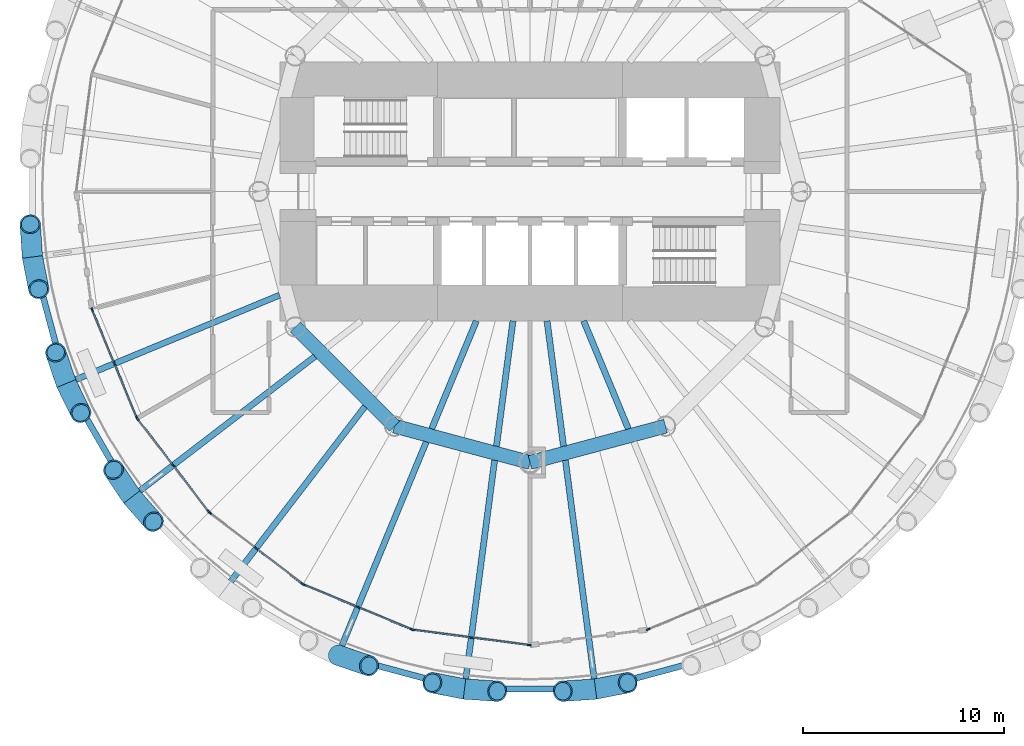
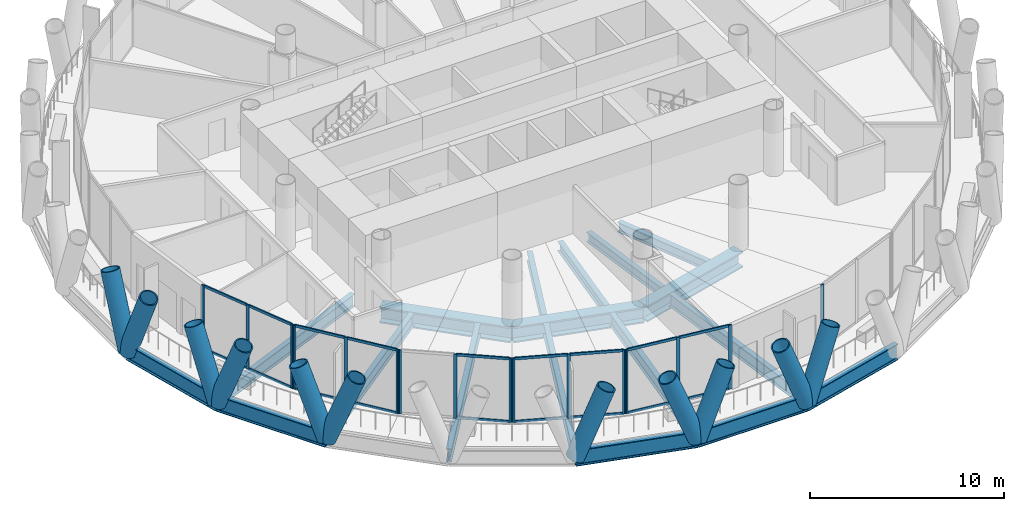
# One storey, part 2 of 16: 45 members, 18 beams, 6 elements without a shape of their own.
"""IFC4 building model written with IfcOpenShell, lengths in metres."""

from ifc_helpers import new_model, si_unit, direction, frame, origin, origin_2d, place, context, subcontext, project, spatial, rectangle, hollow_circle, i_section, extrude, material, material_profile, profile_set, type_object, element, aggregate, save


model = new_model("IFC4")

# Units and contexts
model_context = context("Model", 3, precision=1e-05, world=origin(), true_north=direction((0.0, 1.0)))
body_context = subcontext(model_context, "Body", "Model", "MODEL_VIEW")
ifc_project = project(units=[si_unit("LENGTHUNIT", "METRE"), si_unit("AREAUNIT", "SQUARE_METRE"), si_unit("VOLUMEUNIT", "CUBIC_METRE"), si_unit("PLANEANGLEUNIT", "RADIAN"), si_unit("MASSUNIT", "GRAM", prefix="KILO")], contexts=[model_context])

# Site, building, storey
site_placement = place(None, origin())
site = spatial("IfcSite", under=ifc_project, at=site_placement, CompositionType="ELEMENT")
building_placement = place(site_placement, origin())
building = spatial("IfcBuilding", under=site, at=building_placement, Name="Qaws Media Tower", CompositionType="ELEMENT")
storey_placement = place(building_placement, frame((0.0, 0.0, 135.199951171875)))
storey = spatial("IfcBuildingStorey", under=building, at=storey_placement, Name="L30", CompositionType="ELEMENT", Elevation=135.199951171875)

# Curtain wall, members
ifc_material_1 = material(Name="Aluminium and clear glass", Category="aluminium")
curtain_wall_type = type_object("IfcCurtainWallType", Name="Unitised curtain wall CW-B", PredefinedType="NOTDEFINED", material=ifc_material_1)
curtain_wall_1_placement = place(storey_placement, origin())
curtain_wall_1 = element("IfcCurtainWall", 1, at=curtain_wall_1_placement, inside=storey, type_object=curtain_wall_type, Name="CWB curtain wall L30-14", PredefinedType="NOTDEFINED")
ifc_material_2 = material(Name="Aluminium mullion", Category="aluminium")
ifc_material_profile_1 = material_profile(ifc_material_2, rectangle(XDim=0.080078125, YDim=0.199951171875, at=origin_2d()), Name="80x200")
ifc_profile_set_1 = profile_set([ifc_material_profile_1], Name="Aluminium mullion")
member_type_1 = type_object("IfcMemberType", Name="Curtain wall mullion 80x200", PredefinedType="MULLION", material=ifc_profile_set_1)
member_1_placement = place(storey_placement, frame((38.185302734375, 44.11376953125, 0.0), z_axis=(0.0, 0.0, 1.0), x_axis=(0.923879515867, 0.382683472548, 0.0)))
member_1 = element("IfcMember", 2, at=member_1_placement, type_object=member_type_1, Name="CWB mullion 1", PredefinedType="MULLION", context=body_context, shape_type="SweptSolid", body=[
    extrude(rectangle(XDim=0.080078125, YDim=0.199951171875, at=origin_2d()), origin(), (0.0, 0.0, 1.0), 4.0400390625),
])
member_2_placement = place(storey_placement, frame((39.299072265625, 41.42529296875, 0.0), z_axis=(0.0, 0.0, 1.0), x_axis=(0.923879515867, 0.382683472548, 0.0)))
member_2 = element("IfcMember", 3, at=member_2_placement, type_object=member_type_1, Name="CWB mullion 2", PredefinedType="MULLION", context=body_context, shape_type="SweptSolid", body=[
    extrude(rectangle(XDim=0.080078125, YDim=0.199951171875, at=origin_2d()), origin(), (0.0, 0.0, 1.0), 4.0400390625),
])
member_3_placement = place(storey_placement, frame((40.41259765625, 38.737060546875, 0.0), z_axis=(0.0, 0.0, 1.0), x_axis=(0.923879515867, 0.382683472548, 0.0)))
member_3 = element("IfcMember", 4, at=member_3_placement, type_object=member_type_1, Name="CWB mullion 3", PredefinedType="MULLION", context=body_context, shape_type="SweptSolid", body=[
    extrude(rectangle(XDim=0.080078125, YDim=0.199951171875, at=origin_2d()), origin(), (0.0, 0.0, 1.0), 4.0400390625),
])

curtain_wall_2_placement = place(storey_placement, origin())
curtain_wall_2 = element("IfcCurtainWall", 5, at=curtain_wall_2_placement, inside=storey, type_object=curtain_wall_type, Name="CWB curtain wall L30-15", PredefinedType="NOTDEFINED")
member_4_placement = place(storey_placement, frame((40.4521484375, 38.668212890625, 0.0), z_axis=(0.0, 0.0, 1.0), x_axis=(0.793353313697, 0.608761463667, 0.0)))
member_4 = element("IfcMember", 6, at=member_4_placement, type_object=member_type_1, Name="CWB mullion 1", PredefinedType="MULLION", context=body_context, shape_type="SweptSolid", body=[
    extrude(rectangle(XDim=0.080078125, YDim=0.199951171875, at=origin_2d()), origin(), (0.0, 0.0, 1.0), 4.0400390625),
])
member_5_placement = place(storey_placement, frame((42.2236328125, 36.359619140625, 0.0), z_axis=(0.0, 0.0, 1.0), x_axis=(0.793353313697, 0.608761463667, 0.0)))
member_5 = element("IfcMember", 7, at=member_5_placement, type_object=member_type_1, Name="CWB mullion 2", PredefinedType="MULLION", context=body_context, shape_type="SweptSolid", body=[
    extrude(rectangle(XDim=0.080078125, YDim=0.199951171875, at=origin_2d()), origin(), (0.0, 0.0, 1.0), 4.0400390625),
])
member_6_placement = place(storey_placement, frame((43.9951171875, 34.051025390625, 0.0), z_axis=(0.0, 0.0, 1.0), x_axis=(0.793353313697, 0.608761463667, 0.0)))
member_6 = element("IfcMember", 8, at=member_6_placement, type_object=member_type_1, Name="CWB mullion 3", PredefinedType="MULLION", context=body_context, shape_type="SweptSolid", body=[
    extrude(rectangle(XDim=0.080078125, YDim=0.199951171875, at=origin_2d()), origin(), (0.0, 0.0, 1.0), 4.0400390625),
])

curtain_wall_3_placement = place(storey_placement, origin())
curtain_wall_3 = element("IfcCurtainWall", 9, at=curtain_wall_3_placement, inside=storey, type_object=curtain_wall_type, Name="CWB curtain wall L30-16", PredefinedType="NOTDEFINED")
member_7_placement = place(storey_placement, frame((44.051025390625, 33.9951171875, 0.0), z_axis=(0.0, 0.0, 1.0), x_axis=(0.608761463667, 0.793353313697, 0.0)))
member_7 = element("IfcMember", 10, at=member_7_placement, type_object=member_type_1, Name="CWB mullion 1", PredefinedType="MULLION", context=body_context, shape_type="SweptSolid", body=[
    extrude(rectangle(XDim=0.080078125, YDim=0.199951171875, at=origin_2d()), origin(), (0.0, 0.0, 1.0), 4.0400390625),
])
member_8_placement = place(storey_placement, frame((46.359619140625, 32.2236328125, 0.0), z_axis=(0.0, 0.0, 1.0), x_axis=(0.608761463667, 0.793353313697, 0.0)))
member_8 = element("IfcMember", 11, at=member_8_placement, type_object=member_type_1, Name="CWB mullion 2", PredefinedType="MULLION", context=body_context, shape_type="SweptSolid", body=[
    extrude(rectangle(XDim=0.080078125, YDim=0.199951171875, at=origin_2d()), origin(), (0.0, 0.0, 1.0), 4.0400390625),
])
member_9_placement = place(storey_placement, frame((48.668212890625, 30.4521484375, 0.0), z_axis=(0.0, 0.0, 1.0), x_axis=(0.608761463667, 0.793353313697, 0.0)))
member_9 = element("IfcMember", 12, at=member_9_placement, type_object=member_type_1, Name="CWB mullion 3", PredefinedType="MULLION", context=body_context, shape_type="SweptSolid", body=[
    extrude(rectangle(XDim=0.080078125, YDim=0.199951171875, at=origin_2d()), origin(), (0.0, 0.0, 1.0), 4.0400390625),
])

curtain_wall_4_placement = place(storey_placement, origin())
curtain_wall_4 = element("IfcCurtainWall", 13, at=curtain_wall_4_placement, inside=storey, type_object=curtain_wall_type, Name="CWB curtain wall L30-17", PredefinedType="NOTDEFINED")
member_10_placement = place(storey_placement, frame((48.737060546875, 30.41259765625, 0.0), z_axis=(0.0, 0.0, 1.0), x_axis=(0.382683472548, 0.923879515867, 0.0)))
member_10 = element("IfcMember", 14, at=member_10_placement, type_object=member_type_1, Name="CWB mullion 1", PredefinedType="MULLION", context=body_context, shape_type="SweptSolid", body=[
    extrude(rectangle(XDim=0.080078125, YDim=0.199951171875, at=origin_2d()), origin(), (0.0, 0.0, 1.0), 4.0400390625),
])
member_11_placement = place(storey_placement, frame((51.42529296875, 29.299072265625, 0.0), z_axis=(0.0, 0.0, 1.0), x_axis=(0.382683472548, 0.923879515867, 0.0)))
member_11 = element("IfcMember", 15, at=member_11_placement, type_object=member_type_1, Name="CWB mullion 2", PredefinedType="MULLION", context=body_context, shape_type="SweptSolid", body=[
    extrude(rectangle(XDim=0.080078125, YDim=0.199951171875, at=origin_2d()), origin(), (0.0, 0.0, 1.0), 4.0400390625),
])
member_12_placement = place(storey_placement, frame((54.11376953125, 28.185302734375, 0.0), z_axis=(0.0, 0.0, 1.0), x_axis=(0.382683472548, 0.923879515867, 0.0)))
member_12 = element("IfcMember", 16, at=member_12_placement, type_object=member_type_1, Name="CWB mullion 3", PredefinedType="MULLION", context=body_context, shape_type="SweptSolid", body=[
    extrude(rectangle(XDim=0.080078125, YDim=0.199951171875, at=origin_2d()), origin(), (0.0, 0.0, 1.0), 4.0400390625),
])

curtain_wall_5_placement = place(storey_placement, origin())
curtain_wall_5 = element("IfcCurtainWall", 17, at=curtain_wall_5_placement, inside=storey, type_object=curtain_wall_type, Name="CWB curtain wall L30-18", PredefinedType="NOTDEFINED")
member_13_placement = place(storey_placement, frame((54.1904296875, 28.164794921875, 0.0), z_axis=(0.0, 0.0, 1.0), x_axis=(0.130526147126, 0.991444867311, 0.0)))
member_13 = element("IfcMember", 18, at=member_13_placement, type_object=member_type_1, Name="CWB mullion 1", PredefinedType="MULLION", context=body_context, shape_type="SweptSolid", body=[
    extrude(rectangle(XDim=0.080078125, YDim=0.199951171875, at=origin_2d()), origin(), (0.0, 0.0, 1.0), 4.0400390625),
])
member_14_placement = place(storey_placement, frame((57.075439453125, 27.78515625, 0.0), z_axis=(0.0, 0.0, 1.0), x_axis=(0.130526147126, 0.991444867311, 0.0)))
member_14 = element("IfcMember", 19, at=member_14_placement, type_object=member_type_1, Name="CWB mullion 2", PredefinedType="MULLION", context=body_context, shape_type="SweptSolid", body=[
    extrude(rectangle(XDim=0.080078125, YDim=0.199951171875, at=origin_2d()), origin(), (0.0, 0.0, 1.0), 4.0400390625),
])
member_15_placement = place(storey_placement, frame((59.96044921875, 27.4052734375, 0.0), z_axis=(0.0, 0.0, 1.0), x_axis=(0.130526147126, 0.991444867311, 0.0)))
member_15 = element("IfcMember", 20, at=member_15_placement, type_object=member_type_1, Name="CWB mullion 3", PredefinedType="MULLION", context=body_context, shape_type="SweptSolid", body=[
    extrude(rectangle(XDim=0.080078125, YDim=0.199951171875, at=origin_2d()), origin(), (0.0, 0.0, 1.0), 4.0400390625),
])

# Curtain wall, member
curtain_wall_6_placement = place(storey_placement, origin())
curtain_wall_6 = element("IfcCurtainWall", 21, at=curtain_wall_6_placement, inside=storey, type_object=curtain_wall_type, Name="CWB curtain wall L30-20", PredefinedType="NOTDEFINED")
member_16_placement = place(storey_placement, frame((65.88623046875, 28.185302734375, 0.0), z_axis=(0.0, 0.0, 1.0), x_axis=(-0.382683472548, 0.923879515867, 0.0)))
member_16 = element("IfcMember", 22, at=member_16_placement, type_object=member_type_1, Name="CWB mullion 1", PredefinedType="MULLION", context=body_context, shape_type="SweptSolid", body=[
    extrude(rectangle(XDim=0.080078125, YDim=0.199951171875, at=origin_2d()), origin(), (0.0, 0.0, 1.0), 4.0400390625),
])
aggregate(curtain_wall_6, [member_16])

# Member
ifc_material_3 = material(Name="Aluminium transom", Category="aluminium")
ifc_material_profile_2 = material_profile(ifc_material_3, rectangle(XDim=0.080078125, YDim=0.159912109375, at=origin_2d()), Name="80x160")
ifc_profile_set_2 = profile_set([ifc_material_profile_2], Name="Aluminium transom")
member_type_2 = type_object("IfcMemberType", Name="Curtain wall transom 80x160", PredefinedType="USERDEFINED", material=ifc_profile_set_2)
member_17_placement = place(storey_placement, frame((38.20068359375, 44.07666015625, 0.0400390625), z_axis=(0.382727703944, -0.92386119338, 0.0), x_axis=(0.92386119338, 0.382727703944, 0.0)))
member_17 = element("IfcMember", 23, at=member_17_placement, type_object=member_type_2, Name="CWB transom 1.1", ObjectType="TRANSOM", PredefinedType="USERDEFINED", context=body_context, shape_type="SweptSolid", body=[
    extrude(rectangle(XDim=0.080078125, YDim=0.159912109375, at=origin_2d()), origin(), (0.0, 0.0, 1.0), 2.82958984375),
])

member_18_placement = place(storey_placement, frame((38.20068359375, 44.07666015625, 4.0), z_axis=(0.382727703944, -0.92386119338, 0.0), x_axis=(0.92386119338, 0.382727703944, 0.0)))
member_18 = element("IfcMember", 24, at=member_18_placement, type_object=member_type_2, Name="CWB transom 1.2", ObjectType="TRANSOM", PredefinedType="USERDEFINED", context=body_context, shape_type="SweptSolid", body=[
    extrude(rectangle(XDim=0.080078125, YDim=0.159912109375, at=origin_2d()), origin(), (0.0, 0.0, 1.0), 2.82958984375),
])

member_19_placement = place(storey_placement, frame((39.314208984375, 41.388427734375, 0.0400390625), z_axis=(0.382697199484, -0.923873829864, 0.0), x_axis=(0.923873829864, 0.382697199484, 0.0)))
member_19 = element("IfcMember", 25, at=member_19_placement, type_object=member_type_2, Name="CWB transom 2.1", ObjectType="TRANSOM", PredefinedType="USERDEFINED", context=body_context, shape_type="SweptSolid", body=[
    extrude(rectangle(XDim=0.080078125, YDim=0.159912109375, at=origin_2d()), origin(), (0.0, 0.0, 1.0), 2.829833984375),
])

member_20_placement = place(storey_placement, frame((39.314208984375, 41.388427734375, 4.0), z_axis=(0.382697199484, -0.923873829864, 0.0), x_axis=(0.923873829864, 0.382697199484, 0.0)))
member_20 = element("IfcMember", 26, at=member_20_placement, type_object=member_type_2, Name="CWB transom 2.2", ObjectType="TRANSOM", PredefinedType="USERDEFINED", context=body_context, shape_type="SweptSolid", body=[
    extrude(rectangle(XDim=0.080078125, YDim=0.159912109375, at=origin_2d()), origin(), (0.0, 0.0, 1.0), 2.829833984375),
])

aggregate(curtain_wall_1, [member_1, member_2, member_3, member_17, member_18, member_19, member_20])

member_21_placement = place(storey_placement, frame((40.4765625, 38.636474609375, 0.0400390625), z_axis=(0.608743021775, -0.79336746432, 0.0), x_axis=(0.79336746432, 0.608743021775, 0.0)))
member_21 = element("IfcMember", 27, at=member_21_placement, type_object=member_type_2, Name="CWB transom 1.1", ObjectType="TRANSOM", PredefinedType="USERDEFINED", context=body_context, shape_type="SweptSolid", body=[
    extrude(rectangle(XDim=0.080078125, YDim=0.159912109375, at=origin_2d()), origin(), (0.0, 0.0, 1.0), 2.829833984375),
])

member_22_placement = place(storey_placement, frame((40.4765625, 38.636474609375, 4.0), z_axis=(0.608743021775, -0.79336746432, 0.0), x_axis=(0.79336746432, 0.608743021775, 0.0)))
member_22 = element("IfcMember", 28, at=member_22_placement, type_object=member_type_2, Name="CWB transom 1.2", ObjectType="TRANSOM", PredefinedType="USERDEFINED", context=body_context, shape_type="SweptSolid", body=[
    extrude(rectangle(XDim=0.080078125, YDim=0.159912109375, at=origin_2d()), origin(), (0.0, 0.0, 1.0), 2.829833984375),
])

member_23_placement = place(storey_placement, frame((42.248046875, 36.327880859375, 0.0400390625), z_axis=(0.608743021775, -0.79336746432, 0.0), x_axis=(0.79336746432, 0.608743021775, 0.0)))
member_23 = element("IfcMember", 29, at=member_23_placement, type_object=member_type_2, Name="CWB transom 2.1", ObjectType="TRANSOM", PredefinedType="USERDEFINED", context=body_context, shape_type="SweptSolid", body=[
    extrude(rectangle(XDim=0.080078125, YDim=0.159912109375, at=origin_2d()), origin(), (0.0, 0.0, 1.0), 2.829833984375),
])

member_24_placement = place(storey_placement, frame((42.248046875, 36.327880859375, 4.0), z_axis=(0.608743021775, -0.79336746432, 0.0), x_axis=(0.79336746432, 0.608743021775, 0.0)))
member_24 = element("IfcMember", 30, at=member_24_placement, type_object=member_type_2, Name="CWB transom 2.2", ObjectType="TRANSOM", PredefinedType="USERDEFINED", context=body_context, shape_type="SweptSolid", body=[
    extrude(rectangle(XDim=0.080078125, YDim=0.159912109375, at=origin_2d()), origin(), (0.0, 0.0, 1.0), 2.829833984375),
])

aggregate(curtain_wall_2, [member_4, member_5, member_6, member_21, member_22, member_23, member_24])

member_25_placement = place(storey_placement, frame((46.391357421875, 32.19921875, 0.0400390625), z_axis=(0.79336746432, -0.608743021775, 0.0), x_axis=(0.608743021775, 0.79336746432, 0.0)))
member_25 = element("IfcMember", 31, at=member_25_placement, type_object=member_type_2, Name="CWB transom 2.1", ObjectType="TRANSOM", PredefinedType="USERDEFINED", context=body_context, shape_type="SweptSolid", body=[
    extrude(rectangle(XDim=0.080078125, YDim=0.159912109375, at=origin_2d()), origin(), (0.0, 0.0, 1.0), 2.829833984375),
])

member_26_placement = place(storey_placement, frame((46.391357421875, 32.19921875, 4.0), z_axis=(0.79336746432, -0.608743021775, 0.0), x_axis=(0.608743021775, 0.79336746432, 0.0)))
member_26 = element("IfcMember", 32, at=member_26_placement, type_object=member_type_2, Name="CWB transom 2.2", ObjectType="TRANSOM", PredefinedType="USERDEFINED", context=body_context, shape_type="SweptSolid", body=[
    extrude(rectangle(XDim=0.080078125, YDim=0.159912109375, at=origin_2d()), origin(), (0.0, 0.0, 1.0), 2.829833984375),
])

aggregate(curtain_wall_3, [member_7, member_8, member_9, member_25, member_26])

member_27_placement = place(storey_placement, frame((48.77392578125, 30.397216796875, 0.0400390625), z_axis=(0.923873829864, -0.382697199484, 0.0), x_axis=(0.382697199484, 0.923873829864, 0.0)))
member_27 = element("IfcMember", 33, at=member_27_placement, type_object=member_type_2, Name="CWB transom 1.1", ObjectType="TRANSOM", PredefinedType="USERDEFINED", context=body_context, shape_type="SweptSolid", body=[
    extrude(rectangle(XDim=0.080078125, YDim=0.159912109375, at=origin_2d()), origin(), (0.0, 0.0, 1.0), 2.829833984375),
])

member_28_placement = place(storey_placement, frame((48.77392578125, 30.397216796875, 4.0), z_axis=(0.923873829864, -0.382697199484, 0.0), x_axis=(0.382697199484, 0.923873829864, 0.0)))
member_28 = element("IfcMember", 34, at=member_28_placement, type_object=member_type_2, Name="CWB transom 1.2", ObjectType="TRANSOM", PredefinedType="USERDEFINED", context=body_context, shape_type="SweptSolid", body=[
    extrude(rectangle(XDim=0.080078125, YDim=0.159912109375, at=origin_2d()), origin(), (0.0, 0.0, 1.0), 2.829833984375),
])

member_29_placement = place(storey_placement, frame((51.46240234375, 29.28369140625, 0.0400390625), z_axis=(0.92386119338, -0.382727703944, 0.0), x_axis=(0.382727703944, 0.92386119338, 0.0)))
member_29 = element("IfcMember", 35, at=member_29_placement, type_object=member_type_2, Name="CWB transom 2.1", ObjectType="TRANSOM", PredefinedType="USERDEFINED", context=body_context, shape_type="SweptSolid", body=[
    extrude(rectangle(XDim=0.080078125, YDim=0.159912109375, at=origin_2d()), origin(), (0.0, 0.0, 1.0), 2.82958984375),
])

member_30_placement = place(storey_placement, frame((51.46240234375, 29.28369140625, 4.0), z_axis=(0.92386119338, -0.382727703944, 0.0), x_axis=(0.382727703944, 0.92386119338, 0.0)))
member_30 = element("IfcMember", 36, at=member_30_placement, type_object=member_type_2, Name="CWB transom 2.2", ObjectType="TRANSOM", PredefinedType="USERDEFINED", context=body_context, shape_type="SweptSolid", body=[
    extrude(rectangle(XDim=0.080078125, YDim=0.159912109375, at=origin_2d()), origin(), (0.0, 0.0, 1.0), 2.82958984375),
])

aggregate(curtain_wall_4, [member_10, member_11, member_12, member_27, member_28, member_29, member_30])

member_31_placement = place(storey_placement, frame((54.22998046875, 28.15966796875, 0.0400390625), z_axis=(0.991444308748, -0.130530389761, 0.0), x_axis=(0.130530389761, 0.991444308748, 0.0)))
member_31 = element("IfcMember", 37, at=member_31_placement, type_object=member_type_2, Name="CWB transom 1.1", ObjectType="TRANSOM", PredefinedType="USERDEFINED", context=body_context, shape_type="SweptSolid", body=[
    extrude(rectangle(XDim=0.080078125, YDim=0.159912109375, at=origin_2d()), origin(), (0.0, 0.0, 1.0), 2.829833984375),
])

member_32_placement = place(storey_placement, frame((54.22998046875, 28.15966796875, 4.0), z_axis=(0.991444308748, -0.130530389761, 0.0), x_axis=(0.130530389761, 0.991444308748, 0.0)))
member_32 = element("IfcMember", 38, at=member_32_placement, type_object=member_type_2, Name="CWB transom 1.2", ObjectType="TRANSOM", PredefinedType="USERDEFINED", context=body_context, shape_type="SweptSolid", body=[
    extrude(rectangle(XDim=0.080078125, YDim=0.159912109375, at=origin_2d()), origin(), (0.0, 0.0, 1.0), 2.829833984375),
])

member_33_placement = place(storey_placement, frame((57.114990234375, 27.77978515625, 0.0400390625), z_axis=(0.991444308748, -0.130530389761, 0.0), x_axis=(0.130530389761, 0.991444308748, 0.0)))
member_33 = element("IfcMember", 39, at=member_33_placement, type_object=member_type_2, Name="CWB transom 2.1", ObjectType="TRANSOM", PredefinedType="USERDEFINED", context=body_context, shape_type="SweptSolid", body=[
    extrude(rectangle(XDim=0.080078125, YDim=0.159912109375, at=origin_2d()), origin(), (0.0, 0.0, 1.0), 2.829833984375),
])

member_34_placement = place(storey_placement, frame((57.114990234375, 27.77978515625, 4.0), z_axis=(0.991444308748, -0.130530389761, 0.0), x_axis=(0.130530389761, 0.991444308748, 0.0)))
member_34 = element("IfcMember", 40, at=member_34_placement, type_object=member_type_2, Name="CWB transom 2.2", ObjectType="TRANSOM", PredefinedType="USERDEFINED", context=body_context, shape_type="SweptSolid", body=[
    extrude(rectangle(XDim=0.080078125, YDim=0.159912109375, at=origin_2d()), origin(), (0.0, 0.0, 1.0), 2.829833984375),
])

aggregate(curtain_wall_5, [member_13, member_14, member_15, member_31, member_32, member_33, member_34])

# Members
ifc_material_4 = material(Name="Steel S460", Category="steel")
ifc_material_profile_3 = material_profile(ifc_material_4, hollow_circle(Radius=0.508056640625, WallThickness=0.070068359375, at=origin_2d()), Name="CHS 1016x70")
ifc_profile_set_3 = profile_set([ifc_material_profile_3], Name="Steel S460")
member_type_3 = type_object("IfcMemberType", Name="Diagrid member CHS 1016x70", PredefinedType="USERDEFINED", material=ifc_profile_set_3)
member_35_placement = place(storey_placement, frame((35.2138671875, 46.73681640625, -0.6640625), z_axis=(0.069983690756, -0.355930984487, 0.931888092697), x_axis=(0.981212996823, 0.192927589696, 0.0)))
element("IfcMember", 41, at=member_35_placement, inside=storey, type_object=member_type_3, Name="DG3 diagrid L30 A13", ObjectType="DIAGRID", PredefinedType="USERDEFINED", context=body_context, shape_type="SweptSolid", body=[
    extrude(hollow_circle(Radius=0.508056640625, WallThickness=0.070068359375, at=origin_2d()), origin(), (0.0, 0.0, 1.0), 4.507080078125),
])
for number, where, z_axis, x_axis, name in (
    (42, (35.2138671875, 46.73681640625, -0.6640625), (-0.024483238453, 0.361940264038, 0.931879722015), (-0.997719938165, -0.067490184384, 0.0), "DG3 diagrid L30 B13"),
    (43, (36.903076171875, 40.432861328125, -0.6640625), (0.159737035163, -0.325703218866, 0.931880621548), (0.897835078341, 0.440331888579, 0.0), "DG3 diagrid L30 A14"),
    (44, (36.903076171875, 40.432861328125, -0.6640625), (-0.117378706623, 0.343252821351, 0.931879681003), (-0.946206096041, -0.323564558959, 0.0), "DG3 diagrid L30 B14"),
    (45, (40.166259765625, 34.781005859375, -0.6640625), (0.238602324229, -0.273268723209, 0.931876137579), (0.753269974969, 0.657711444944, 0.0), "DG3 diagrid L30 A15"),
):
    element("IfcMember", number, at=place(storey_placement, frame(where, z_axis=z_axis, x_axis=x_axis)), inside=storey, type_object=member_type_3, Name=name, ObjectType="DIAGRID", PredefinedType="USERDEFINED", context=body_context, shape_type="SweptSolid", body=[
        extrude(hollow_circle(Radius=0.508056640625, WallThickness=0.070068359375, at=origin_2d()), origin(), (0.0, 0.0, 1.0), 4.50732421875),
    ])
member_36_placement = place(storey_placement, frame((40.166259765625, 34.781005859375, -0.6640625), z_axis=(-0.202204729497, 0.301167504957, 0.931885927207), x_axis=(-0.830231002951, -0.557419484535, 0.0)))
element("IfcMember", 46, at=member_36_placement, inside=storey, type_object=member_type_3, Name="DG3 diagrid L30 B15", ObjectType="DIAGRID", PredefinedType="USERDEFINED", context=body_context, shape_type="SweptSolid", body=[
    extrude(hollow_circle(Radius=0.508056640625, WallThickness=0.070068359375, at=origin_2d()), origin(), (0.0, 0.0, 1.0), 4.507080078125),
])
for number, where, z_axis, x_axis, name in (
    (47, (50.432861328125, 26.903076171875, -0.6640625), (0.343252821351, -0.117378706623, 0.931879681003), (0.323564558959, 0.946206096041, 0.0), "DG3 diagrid L30 A17"),
    (48, (56.73681640625, 25.2138671875, -0.6640625), (0.361940264038, -0.024483238453, 0.931879722015), (0.067490184384, 0.997719938165, 0.0), "DG3 diagrid L30 A18"),
):
    element("IfcMember", number, at=place(storey_placement, frame(where, z_axis=z_axis, x_axis=x_axis)), inside=storey, type_object=member_type_3, Name=name, ObjectType="DIAGRID", PredefinedType="USERDEFINED", context=body_context, shape_type="SweptSolid", body=[
        extrude(hollow_circle(Radius=0.508056640625, WallThickness=0.070068359375, at=origin_2d()), origin(), (0.0, 0.0, 1.0), 4.50732421875),
    ])
for number, where, z_axis, x_axis, name in (
    (49, (56.73681640625, 25.2138671875, -0.6640625), (-0.355930984487, 0.069983690756, 0.931888092697), (-0.192927589696, -0.981212996823, 0.0), "DG3 diagrid L30 B18"),
    (50, (63.26318359375, 25.2138671875, -0.6640625), (0.355930984487, 0.069983690756, 0.931888092697), (-0.192927589696, 0.981212996823, 0.0), "DG3 diagrid L30 A19"),
):
    element("IfcMember", number, at=place(storey_placement, frame(where, z_axis=z_axis, x_axis=x_axis)), inside=storey, type_object=member_type_3, Name=name, ObjectType="DIAGRID", PredefinedType="USERDEFINED", context=body_context, shape_type="SweptSolid", body=[
        extrude(hollow_circle(Radius=0.508056640625, WallThickness=0.070068359375, at=origin_2d()), origin(), (0.0, 0.0, 1.0), 4.507080078125),
    ])
member_37_placement = place(storey_placement, frame((63.26318359375, 25.2138671875, -0.6640625), z_axis=(-0.361940264038, -0.024483238453, 0.931879722015), x_axis=(0.067490184384, -0.997719938165, 0.0)))
element("IfcMember", 51, at=member_37_placement, inside=storey, type_object=member_type_3, Name="DG3 diagrid L30 B19", ObjectType="DIAGRID", PredefinedType="USERDEFINED", context=body_context, shape_type="SweptSolid", body=[
    extrude(hollow_circle(Radius=0.508056640625, WallThickness=0.070068359375, at=origin_2d()), origin(), (0.0, 0.0, 1.0), 4.50732421875),
])

# Beams
ifc_material_5 = material(Name="Steel S460", Category="steel")
ifc_material_profile_4 = material_profile(ifc_material_5, i_section(OverallWidth=0.302001953125, OverallDepth=1.008056640625, WebThickness=0.02099609375, FlangeThickness=0.0400390625, FilletRadius=0.030029296875, at=origin_2d()), Name="HE 1000 M")
ifc_profile_set_4 = profile_set([ifc_material_profile_4], Name="Steel S460")
beam_type_1 = type_object("IfcBeamType", Name="Edge ring beam HE 1000 M", PredefinedType="BEAM", material=ifc_profile_set_4)
beam_1_placement = place(storey_placement, frame((35.2138671875, 46.73681640625, -0.6640625), z_axis=(0.258828953999, -0.965923171154, 0.0), x_axis=(0.965923171154, 0.258828953999, 0.0)))
element("IfcBeam", 52, at=beam_1_placement, inside=storey, type_object=beam_type_1, Name="RB3 edge ring beam L30-13", PredefinedType="BEAM", context=body_context, shape_type="SweptSolid", body=[
    extrude(i_section(OverallWidth=0.302001953125, OverallDepth=1.008056640625, WebThickness=0.02099609375, FlangeThickness=0.0400390625, FilletRadius=0.030029296875, at=origin_2d()), origin(), (0.0, 0.0, 1.0), 6.5263671875),
])
beam_2_placement = place(storey_placement, frame((36.903076171875, 40.432861328125, -0.6640625), z_axis=(0.500009574865, -0.866019875663, 0.0), x_axis=(0.866019875663, 0.500009574865, 0.0)))
element("IfcBeam", 53, at=beam_2_placement, inside=storey, type_object=beam_type_1, Name="RB3 edge ring beam L30-14", PredefinedType="BEAM", context=body_context, shape_type="SweptSolid", body=[
    extrude(i_section(OverallWidth=0.302001953125, OverallDepth=1.008056640625, WebThickness=0.02099609375, FlangeThickness=0.0400390625, FilletRadius=0.030029296875, at=origin_2d()), origin(), (0.0, 0.0, 1.0), 6.526123046875),
])
for number, where, z_axis, x_axis, name in (
    (54, (50.432861328125, 26.903076171875, -0.6640625), (0.965923171154, -0.258828953999, 0.0), (0.258828953999, 0.965923171154, 0.0), "RB3 edge ring beam L30-17"),
    (55, (56.73681640625, 25.2138671875, -0.6640625), (1.0, 0.0, 0.0), (0.0, 1.0, 0.0), "RB3 edge ring beam L30-18"),
    (56, (63.26318359375, 25.2138671875, -0.6640625), (0.965923171154, 0.258828953999, 0.0), (-0.258828953999, 0.965923171154, 0.0), "RB3 edge ring beam L30-19"),
):
    element("IfcBeam", number, at=place(storey_placement, frame(where, z_axis=z_axis, x_axis=x_axis)), inside=storey, type_object=beam_type_1, Name=name, PredefinedType="BEAM", context=body_context, shape_type="SweptSolid", body=[
        extrude(i_section(OverallWidth=0.302001953125, OverallDepth=1.008056640625, WebThickness=0.02099609375, FlangeThickness=0.0400390625, FilletRadius=0.030029296875, at=origin_2d()), origin(), (0.0, 0.0, 1.0), 6.5263671875),
    ])
ifc_material_6 = material(Name="Steel S460", Category="steel")
ifc_material_profile_5 = material_profile(ifc_material_6, i_section(OverallWidth=0.699951171875, OverallDepth=1.0, WebThickness=0.034912109375, FlangeThickness=0.090087890625, at=origin_2d()), Name="PG 1000x700")
ifc_profile_set_5 = profile_set([ifc_material_profile_5], Name="Steel S460")
beam_type_2 = type_object("IfcBeamType", Name="Inner ring girder PG 1000x700", PredefinedType="BEAM", material=ifc_profile_set_5)
beam_3_placement = place(storey_placement, frame((48.30859375, 43.25, -0.659912109375), z_axis=(0.707106781187, -0.707106781187, 0.0), x_axis=(0.707106781187, 0.707106781187, 0.0)))
element("IfcBeam", 57, at=beam_3_placement, inside=storey, type_object=beam_type_2, Name="B3 inner ring beam L30 I08-I09", PredefinedType="BEAM", context=body_context, shape_type="SweptSolid", body=[
    extrude(i_section(OverallWidth=0.699951171875, OverallDepth=1.0, WebThickness=0.034912109375, FlangeThickness=0.090087890625, at=origin_2d()), origin(), (0.0, 0.0, 1.0), 6.98828125),
])
for number, where, z_axis, x_axis, name in (
    (58, (53.25, 38.30859375, -0.659912109375), (0.965928090778, -0.258810593767, 0.0), (0.258810593767, 0.965928090778, 0.0), "B3 inner ring beam L30 I09-I10"),
    (59, (60.0, 36.5, -0.659912109375), (0.965928090778, 0.258810593767, 0.0), (-0.258810593767, 0.965928090778, 0.0), "B3 inner ring beam L30 I10-I11"),
):
    element("IfcBeam", number, at=place(storey_placement, frame(where, z_axis=z_axis, x_axis=x_axis)), inside=storey, type_object=beam_type_2, Name=name, PredefinedType="BEAM", context=body_context, shape_type="SweptSolid", body=[
        extrude(i_section(OverallWidth=0.699951171875, OverallDepth=1.0, WebThickness=0.034912109375, FlangeThickness=0.090087890625, at=origin_2d()), origin(), (0.0, 0.0, 1.0), 6.988037109375),
    ])
ifc_material_7 = material(Name="Steel S355", Category="steel")
ifc_material_profile_6 = material_profile(ifc_material_7, i_section(OverallWidth=0.304931640625, OverallDepth=0.6201171875, WebThickness=0.02099609375, FlangeThickness=0.0400390625, FilletRadius=0.027099609375, at=origin_2d()), Name="HE 600 M")
ifc_profile_set_6 = profile_set([ifc_material_profile_6], Name="Steel S355")
beam_type_3 = type_object("IfcBeamType", Name="Radial beam HE 600 M, core side", PredefinedType="BEAM", material=ifc_profile_set_6)
beam_4_placement = place(storey_placement, frame((57.328369140625, 43.550048828125, -0.469970703125), z_axis=(-0.382692744599, -0.923875675203, 0.0), x_axis=(0.923875675203, -0.382692744599, 0.0)))
element("IfcBeam", 60, at=beam_4_placement, inside=storey, type_object=beam_type_3, Name="B2 radial beam L30 17", PredefinedType="BEAM", context=body_context, shape_type="SweptSolid", body=[
    extrude(i_section(OverallWidth=0.304931640625, OverallDepth=0.6201171875, WebThickness=0.02099609375, FlangeThickness=0.0400390625, FilletRadius=0.027099609375, at=origin_2d()), origin(), (0.0, 0.0, 1.0), 5.818115234375),
])
for number, where, z_axis, x_axis, name in (
    (61, (59.15087890625, 43.550048828125, -0.469970703125), (-0.130529769311, -0.991444390434, 0.0), (0.991444390434, -0.130529769311, 0.0), "B2 radial beam L30 18"),
    (62, (60.84912109375, 43.550048828125, -0.469970703125), (0.130529769311, -0.991444390434, 0.0), (0.991444390434, 0.130529769311, 0.0), "B2 radial beam L30 19"),
):
    element("IfcBeam", number, at=place(storey_placement, frame(where, z_axis=z_axis, x_axis=x_axis)), inside=storey, type_object=beam_type_3, Name=name, PredefinedType="BEAM", context=body_context, shape_type="SweptSolid", body=[
        extrude(i_section(OverallWidth=0.304931640625, OverallDepth=0.6201171875, WebThickness=0.02099609375, FlangeThickness=0.0400390625, FilletRadius=0.027099609375, at=origin_2d()), origin(), (0.0, 0.0, 1.0), 6.2939453125),
    ])
beam_5_placement = place(storey_placement, frame((62.671630859375, 43.550048828125, -0.469970703125), z_axis=(0.382692744599, -0.923875675203, 0.0), x_axis=(0.923875675203, 0.382692744599, 0.0)))
element("IfcBeam", 63, at=beam_5_placement, inside=storey, type_object=beam_type_3, Name="B2 radial beam L30 20", PredefinedType="BEAM", context=body_context, shape_type="SweptSolid", body=[
    extrude(i_section(OverallWidth=0.304931640625, OverallDepth=0.6201171875, WebThickness=0.02099609375, FlangeThickness=0.0400390625, FilletRadius=0.027099609375, at=origin_2d()), origin(), (0.0, 0.0, 1.0), 5.818115234375),
])
ifc_material_8 = material(Name="Steel S355", Category="steel")
ifc_material_profile_7 = material_profile(ifc_material_8, i_section(OverallWidth=0.300048828125, OverallDepth=0.800048828125, WebThickness=0.017578125, FlangeThickness=0.032958984375, FilletRadius=0.030029296875, at=origin_2d()), Name="HE 800 B")
ifc_profile_set_7 = profile_set([ifc_material_profile_7], Name="Steel S355")
beam_type_4 = type_object("IfcBeamType", Name="Radial beam HE 800 B", PredefinedType="BEAM", material=ifc_profile_set_7)
for number, where, z_axis, x_axis, name in (
    (64, (47.5224609375, 44.83154296875, -0.56005859375), (-0.92387988788, -0.382682574429, 0.0), (0.382682574429, -0.92387988788, 0.0), "B1 radial beam L30 14"),
    (65, (49.285400390625, 41.7783203125, -0.56005859375), (-0.793355367855, -0.608758786627, 0.0), (0.608758786627, -0.793355367855, 0.0), "B1 radial beam L30 15"),
    (66, (51.7783203125, 39.285400390625, -0.56005859375), (-0.608758786627, -0.793355367855, 0.0), (0.793355367855, -0.608758786627, 0.0), "B1 radial beam L30 16"),
    (67, (54.83154296875, 37.5224609375, -0.56005859375), (-0.382682574429, -0.92387988788, 0.0), (0.92387988788, -0.382682574429, 0.0), "B1 radial beam L30 17"),
):
    element("IfcBeam", number, at=place(storey_placement, frame(where, z_axis=z_axis, x_axis=x_axis)), inside=storey, type_object=beam_type_4, Name=name, PredefinedType="BEAM", context=body_context, shape_type="SweptSolid", body=[
        extrude(i_section(OverallWidth=0.300048828125, OverallDepth=0.800048828125, WebThickness=0.017578125, FlangeThickness=0.032958984375, FilletRadius=0.030029296875, at=origin_2d()), origin(), (0.0, 0.0, 1.0), 11.494384765625),
    ])
for number, where, z_axis, x_axis, name in (
    (68, (58.237060546875, 36.610107421875, -0.56005859375), (-0.130517696312, -0.991445979844, 0.0), (0.991445979844, -0.130517696312, 0.0), "B1 radial beam L30 18"),
    (69, (61.762939453125, 36.610107421875, -0.56005859375), (0.130517696312, -0.991445979844, 0.0), (0.991445979844, 0.130517696312, 0.0), "B1 radial beam L30 19"),
):
    element("IfcBeam", number, at=place(storey_placement, frame(where, z_axis=z_axis, x_axis=x_axis)), inside=storey, type_object=beam_type_4, Name=name, PredefinedType="BEAM", context=body_context, shape_type="SweptSolid", body=[
        extrude(i_section(OverallWidth=0.300048828125, OverallDepth=0.800048828125, WebThickness=0.017578125, FlangeThickness=0.032958984375, FilletRadius=0.030029296875, at=origin_2d()), origin(), (0.0, 0.0, 1.0), 11.49462890625),
    ])

save(model, "model.ifc")
